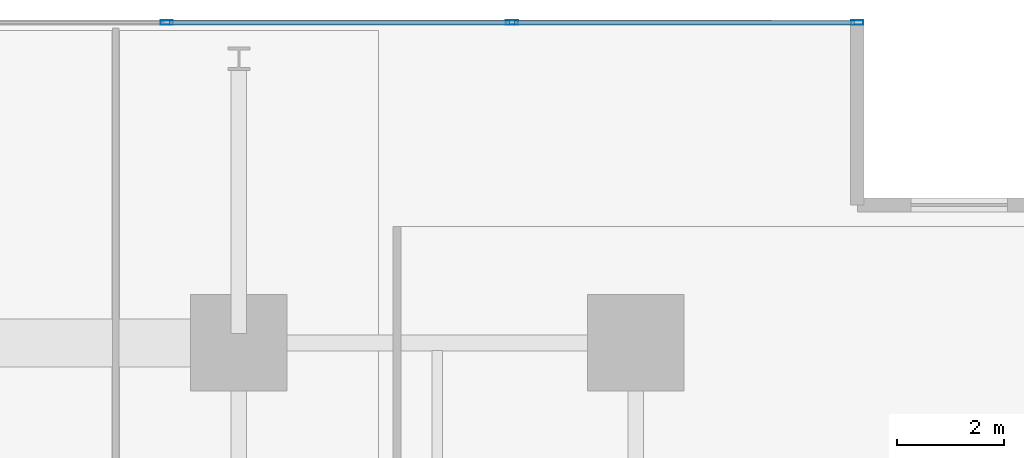
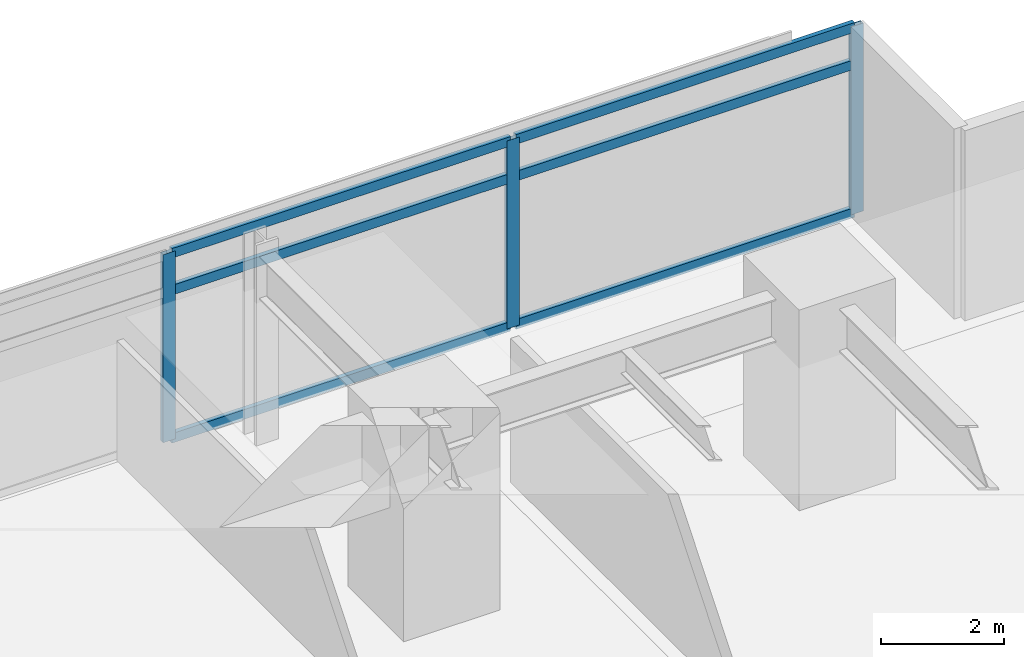
# One storey, part 11 of 21: 9 members, 1 element without a shape of its own.
"""IFC4 building model written with IfcOpenShell, lengths in metres."""

from ifc_helpers import new_model, si_unit, direction, frame, origin, origin_2d, place, context, subcontext, project, spatial, hollow_rectangle, extrude, material, material_profile, profile_set, type_object, element, aggregate, save


model = new_model("IFC4")

# Units and contexts
model_context = context("Model", 3, precision=1e-05, world=origin(), true_north=direction((0.0, 1.0)))
body_context = subcontext(model_context, "Body", "Model", "MODEL_VIEW")
ifc_project = project(units=[si_unit("LENGTHUNIT", "METRE"), si_unit("AREAUNIT", "SQUARE_METRE"), si_unit("VOLUMEUNIT", "CUBIC_METRE"), si_unit("PLANEANGLEUNIT", "RADIAN"), si_unit("MASSUNIT", "GRAM", prefix="KILO")], contexts=[model_context])

# Site, building, storey
site_placement = place(None, origin())
site = spatial("IfcSite", under=ifc_project, at=site_placement, CompositionType="ELEMENT")
building_placement = place(site_placement, origin())
building = spatial("IfcBuilding", under=site, at=building_placement, Name="Kovane Verandah Tower", CompositionType="ELEMENT")
storey_placement = place(building_placement, frame((0.0, 0.0, 87.60009765625)))
storey = spatial("IfcBuildingStorey", under=building, at=storey_placement, Name="L20", CompositionType="ELEMENT", Elevation=87.60009765625)

# Curtain wall, members
ifc_material_1 = material(Name="Champagne Anodised Aluminium Frame with Low-E Clear Laminated Glass", Category="aluminium")
curtain_wall_type = type_object("IfcCurtainWallType", Name="CW-SYS-02-LOW", PredefinedType="NOTDEFINED", material=ifc_material_1)
curtain_wall_placement = place(storey_placement, origin())
curtain_wall = element("IfcCurtainWall", 1, at=curtain_wall_placement, inside=storey, type_object=curtain_wall_type, Name="L20 N Unitised Curtain Wall", PredefinedType="NOTDEFINED")
ifc_material_2 = material(Name="Champagne Anodised Aluminium 6063-T6", Category="aluminium")
ifc_material_profile_1 = material_profile(ifc_material_2, hollow_rectangle(XDim=0.0849609375, YDim=0.22998046875, WallThickness=0.00390625, at=origin_2d()), Name="AL85x230x4")
ifc_profile_set_1 = profile_set([ifc_material_profile_1], Name="Champagne Anodised Aluminium 6063-T6")
member_type_1 = type_object("IfcMemberType", Name="CW-MUL-85x230", PredefinedType="MULLION", material=ifc_profile_set_1)
member_1_placement = place(storey_placement, frame((62.52978515625, 50.1708984375, 0.02001953125), z_axis=(0.0, 0.0, 1.0), x_axis=(0.0, 1.0, 0.0)))
member_1 = element("IfcMember", 2, at=member_1_placement, type_object=member_type_1, Name="L20 N Unitised Curtain Wall Mullion 1", PredefinedType="MULLION", context=body_context, shape_type="SweptSolid", body=[
    extrude(hollow_rectangle(XDim=0.0849609375, YDim=0.22998046875, WallThickness=0.00390625, at=origin_2d()), origin(), (0.0, 0.0, 1.0), 3.719970703125),
])
member_2_placement = place(storey_placement, frame((56.0927734375, 50.1708984375, 0.02001953125), z_axis=(0.0, 0.0, 1.0), x_axis=(0.0, 1.0, 0.0)))
member_2 = element("IfcMember", 3, at=member_2_placement, type_object=member_type_1, Name="L20 N Unitised Curtain Wall Mullion 2", PredefinedType="MULLION", context=body_context, shape_type="SweptSolid", body=[
    extrude(hollow_rectangle(XDim=0.0849609375, YDim=0.22998046875, WallThickness=0.00390625, at=origin_2d()), origin(), (0.0, 0.0, 1.0), 3.719970703125),
])
member_3_placement = place(storey_placement, frame((49.65576171875, 50.1708984375, 0.02001953125), z_axis=(0.0, 0.0, 1.0), x_axis=(0.0, 1.0, 0.0)))
member_3 = element("IfcMember", 4, at=member_3_placement, type_object=member_type_1, Name="L20 N Unitised Curtain Wall Mullion 3", PredefinedType="MULLION", context=body_context, shape_type="SweptSolid", body=[
    extrude(hollow_rectangle(XDim=0.0849609375, YDim=0.22998046875, WallThickness=0.00390625, at=origin_2d()), origin(), (0.0, 0.0, 1.0), 3.719970703125),
])
ifc_material_profile_2 = material_profile(ifc_material_2, hollow_rectangle(XDim=0.0849609375, YDim=0.18994140625, WallThickness=0.00390625, at=origin_2d()), Name="AL85x190x4")
ifc_profile_set_2 = profile_set([ifc_material_profile_2], Name="Champagne Anodised Aluminium 6063-T6")
member_type_2 = type_object("IfcMemberType", Name="CW-TRN-85x190", PredefinedType="USERDEFINED", material=ifc_profile_set_2)
member_4_placement = place(storey_placement, frame((62.47998046875, 50.1708984375, 0.0498046875), z_axis=(-1.0, 0.0, 0.0), x_axis=(0.0, -1.0, 0.0)))
member_4 = element("IfcMember", 5, at=member_4_placement, type_object=member_type_2, Name="L20 N Unitised Curtain Wall Transom TB Bay 1", ObjectType="TRANSOM", PredefinedType="USERDEFINED", context=body_context, shape_type="SweptSolid", body=[
    extrude(hollow_rectangle(XDim=0.0849609375, YDim=0.18994140625, WallThickness=0.00390625, at=origin_2d()), origin(), (0.0, 0.0, 1.0), 6.337158203125),
])
member_5_placement = place(storey_placement, frame((62.47998046875, 50.1708984375, 2.97998046875), z_axis=(-1.0, 0.0, 0.0), x_axis=(0.0, -1.0, 0.0)))
member_5 = element("IfcMember", 6, at=member_5_placement, type_object=member_type_2, Name="L20 N Unitised Curtain Wall Transom TM Bay 1", ObjectType="TRANSOM", PredefinedType="USERDEFINED", context=body_context, shape_type="SweptSolid", body=[
    extrude(hollow_rectangle(XDim=0.0849609375, YDim=0.18994140625, WallThickness=0.00390625, at=origin_2d()), origin(), (0.0, 0.0, 1.0), 6.337158203125),
])
member_6_placement = place(storey_placement, frame((62.47998046875, 50.1708984375, 3.7099609375), z_axis=(-1.0, 0.0, 0.0), x_axis=(0.0, -1.0, 0.0)))
member_6 = element("IfcMember", 7, at=member_6_placement, type_object=member_type_2, Name="L20 N Unitised Curtain Wall Transom TT Bay 1", ObjectType="TRANSOM", PredefinedType="USERDEFINED", context=body_context, shape_type="SweptSolid", body=[
    extrude(hollow_rectangle(XDim=0.0849609375, YDim=0.18994140625, WallThickness=0.00390625, at=origin_2d()), origin(), (0.0, 0.0, 1.0), 6.337158203125),
])
member_7_placement = place(storey_placement, frame((56.042724609375, 50.1708984375, 0.0498046875), z_axis=(-1.0, 0.0, 0.0), x_axis=(0.0, -1.0, 0.0)))
member_7 = element("IfcMember", 8, at=member_7_placement, type_object=member_type_2, Name="L20 N Unitised Curtain Wall Transom TB Bay 2", ObjectType="TRANSOM", PredefinedType="USERDEFINED", context=body_context, shape_type="SweptSolid", body=[
    extrude(hollow_rectangle(XDim=0.0849609375, YDim=0.18994140625, WallThickness=0.00390625, at=origin_2d()), origin(), (0.0, 0.0, 1.0), 6.3369140625),
])
member_8_placement = place(storey_placement, frame((56.042724609375, 50.1708984375, 2.97998046875), z_axis=(-1.0, 0.0, 0.0), x_axis=(0.0, -1.0, 0.0)))
member_8 = element("IfcMember", 9, at=member_8_placement, type_object=member_type_2, Name="L20 N Unitised Curtain Wall Transom TM Bay 2", ObjectType="TRANSOM", PredefinedType="USERDEFINED", context=body_context, shape_type="SweptSolid", body=[
    extrude(hollow_rectangle(XDim=0.0849609375, YDim=0.18994140625, WallThickness=0.00390625, at=origin_2d()), origin(), (0.0, 0.0, 1.0), 6.3369140625),
])
member_9_placement = place(storey_placement, frame((56.042724609375, 50.1708984375, 3.7099609375), z_axis=(-1.0, 0.0, 0.0), x_axis=(0.0, -1.0, 0.0)))
member_9 = element("IfcMember", 10, at=member_9_placement, type_object=member_type_2, Name="L20 N Unitised Curtain Wall Transom TT Bay 2", ObjectType="TRANSOM", PredefinedType="USERDEFINED", context=body_context, shape_type="SweptSolid", body=[
    extrude(hollow_rectangle(XDim=0.0849609375, YDim=0.18994140625, WallThickness=0.00390625, at=origin_2d()), origin(), (0.0, 0.0, 1.0), 6.3369140625),
])
aggregate(curtain_wall, [member_1, member_2, member_3, member_4, member_5, member_6, member_7, member_8, member_9])

save(model, "model.ifc")
